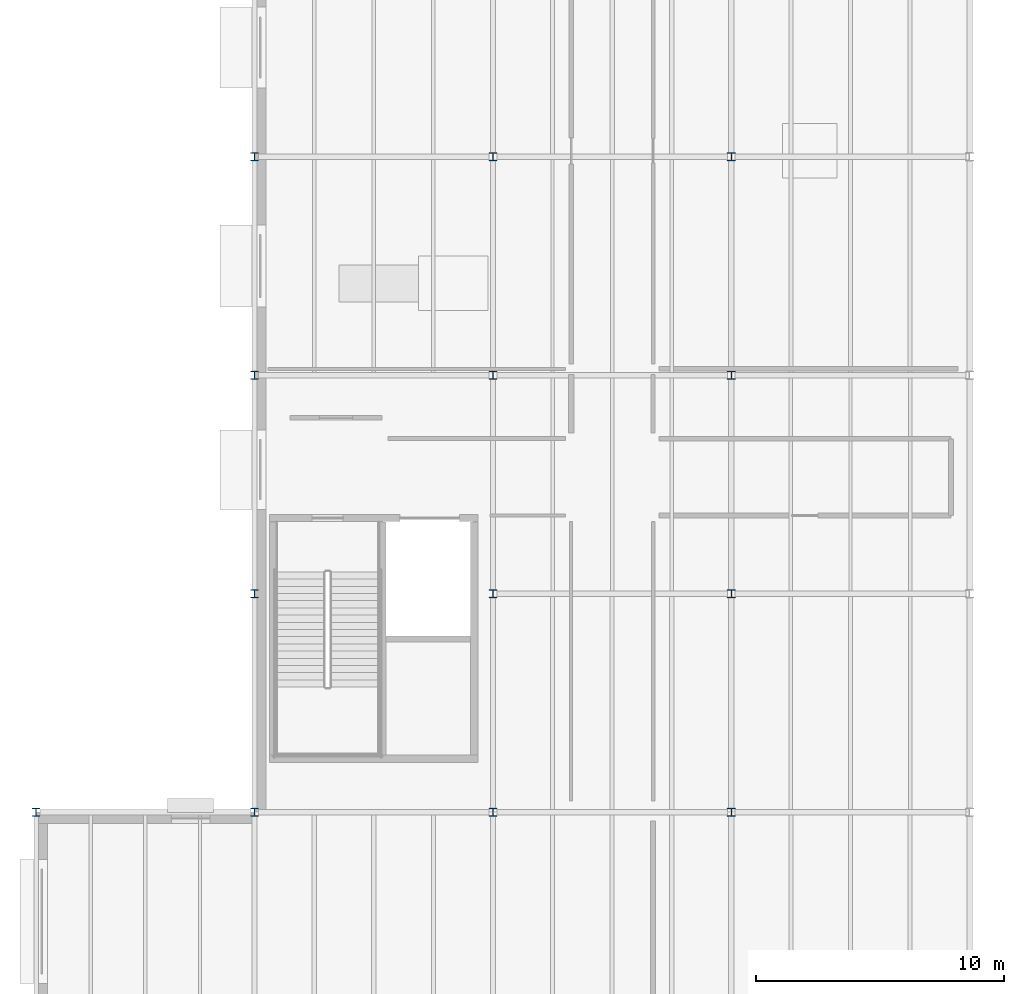
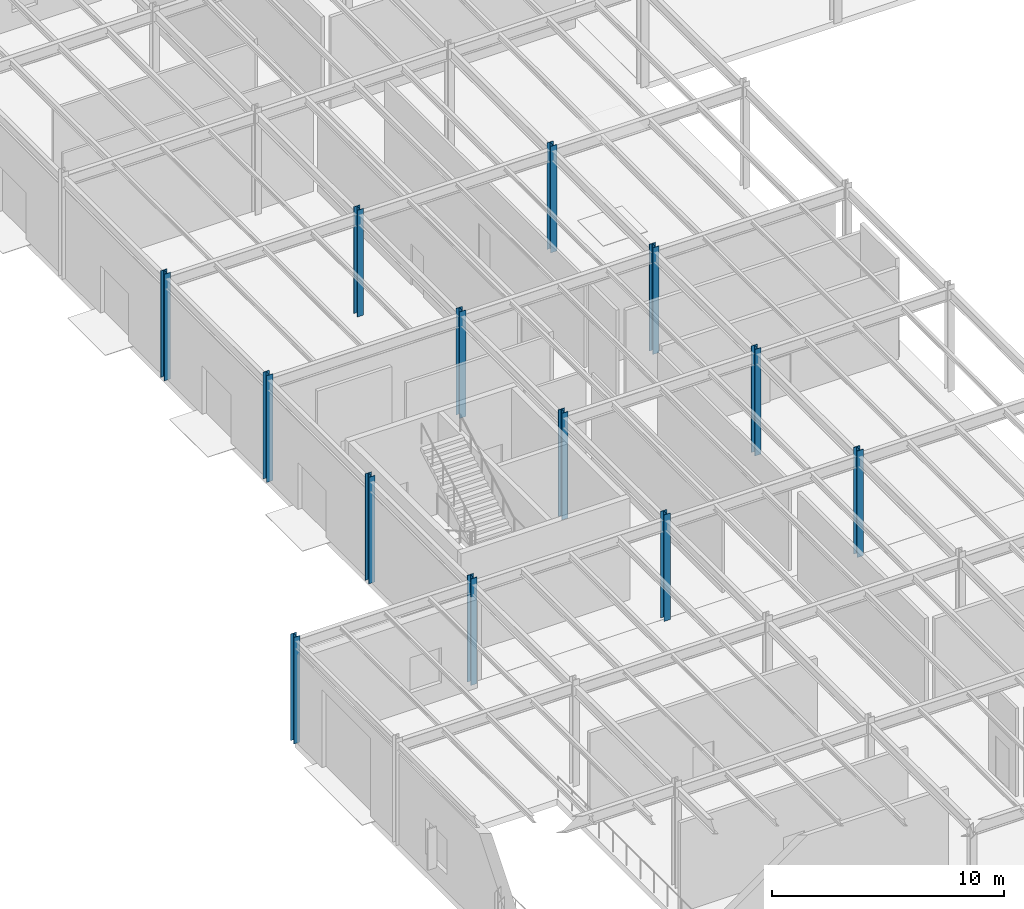
# One storey, part 3 of 70: 13 columns.
"""IFC4 building model written with IfcOpenShell, lengths in metres."""

from ifc_helpers import new_model, si_unit, direction, frame, origin, origin_2d, place, context, subcontext, project, spatial, i_section, extrude, material, material_profile, profile_set, type_object, element, save


model = new_model("IFC4")

# Units and contexts
model_context = context("Model", 3, precision=1e-05, world=origin(), true_north=direction((0.0, 1.0)))
body_context = subcontext(model_context, "Body", "Model", "MODEL_VIEW")
ifc_project = project(units=[si_unit("LENGTHUNIT", "METRE"), si_unit("AREAUNIT", "SQUARE_METRE"), si_unit("VOLUMEUNIT", "CUBIC_METRE"), si_unit("PLANEANGLEUNIT", "RADIAN"), si_unit("MASSUNIT", "GRAM", prefix="KILO")], contexts=[model_context])

# Site, building, storey
site_placement = place(None, origin())
site = spatial("IfcSite", under=ifc_project, at=site_placement, CompositionType="ELEMENT")
building_placement = place(site_placement, origin())
building = spatial("IfcBuilding", under=site, at=building_placement, Name="Sarnbrook Museum", CompositionType="ELEMENT")
storey_placement = place(building_placement, origin())
storey = spatial("IfcBuildingStorey", under=building, at=storey_placement, Name="L00", CompositionType="ELEMENT", Elevation=0.0)

# Columns
ifc_material = material(Name="Structural Steel Grade 300PLUS (AS/NZS 3679.1, fy = 280 MPa for 17 < t <= 40 mm, 300 MPa for t <= 17 mm)", Category="steel")
ifc_material_profile_1 = material_profile(ifc_material, i_section(OverallWidth=0.306884765625, OverallDepth=0.31494140625, WebThickness=0.011962890625, FlangeThickness=0.018798828125, FilletRadius=0.0166015625, at=origin_2d()), Name="310UC118")
ifc_profile_set_1 = profile_set([ifc_material_profile_1], Name="Structural Steel Grade 300PLUS (AS/NZS 3679.1, fy = 280 MPa for 17 < t <= 40 mm, 300 MPa for t <= 17 mm)")
column_type_1 = type_object("IfcColumnType", Name="COL-UC310", PredefinedType="COLUMN", material=ifc_profile_set_1)
column_placement = place(storey_placement, frame((4.800048828125, 39.199951171875, 0.0), z_axis=(0.0, 0.0, 1.0), x_axis=(1.0, 0.0, 0.0)))
element("IfcColumn", 1, at=column_placement, inside=storey, type_object=column_type_1, Name="Column 1-E L00", PredefinedType="COLUMN", context=body_context, shape_type="SweptSolid", body=[
    extrude(i_section(OverallWidth=0.306884765625, OverallDepth=0.31494140625, WebThickness=0.011962890625, FlangeThickness=0.018798828125, FilletRadius=0.0166015625, at=origin_2d()), origin(), (0.0, 0.0, 1.0), 5.60009765625),
])
ifc_material_profile_2 = material_profile(ifc_material, i_section(OverallWidth=0.31103515625, OverallDepth=0.326904296875, WebThickness=0.015625, FlangeThickness=0.02490234375, FilletRadius=0.0166015625, at=origin_2d()), Name="310UC158")
ifc_profile_set_2 = profile_set([ifc_material_profile_2], Name="Structural Steel Grade 300PLUS (AS/NZS 3679.1, fy = 280 MPa for 17 < t <= 40 mm, 300 MPa for t <= 17 mm)")
column_type_2 = type_object("IfcColumnType", Name="COL-UC310H", PredefinedType="COLUMN", material=ifc_profile_set_2)
for number, where, z_axis, x_axis, name in (
    (2, (13.60009765625, 39.199951171875, 0.0), (0.0, 0.0, 1.0), (1.0, 0.0, 0.0), "Column 2-E L00"),
    (3, (13.60009765625, 48.0, 0.0), (0.0, 0.0, 1.0), (1.0, 0.0, 0.0), "Column 2-F L00"),
    (4, (13.60009765625, 56.800048828125, 0.0), (0.0, 0.0, 1.0), (1.0, 0.0, 0.0), "Column 2-G L00"),
    (5, (13.60009765625, 65.60009765625, 0.0), (0.0, 0.0, 1.0), (1.0, 0.0, 0.0), "Column 2-H L00"),
    (6, (23.199951171875, 39.199951171875, 0.0), (0.0, 0.0, 1.0), (1.0, 0.0, 0.0), "Column 3-E L00"),
    (7, (23.199951171875, 48.0, 0.0), (0.0, 0.0, 1.0), (1.0, 0.0, 0.0), "Column 3-F L00"),
    (8, (23.199951171875, 56.800048828125, 0.0), (0.0, 0.0, 1.0), (1.0, 0.0, 0.0), "Column 3-G L00"),
    (9, (23.199951171875, 65.60009765625, 0.0), (0.0, 0.0, 1.0), (1.0, 0.0, 0.0), "Column 3-H L00"),
    (10, (32.800048828125, 39.199951171875, 0.0), (0.0, 0.0, 1.0), (1.0, 0.0, 0.0), "Column 4-E L00"),
    (11, (32.800048828125, 48.0, 0.0), (0.0, 0.0, 1.0), (1.0, 0.0, 0.0), "Column 4-F L00"),
    (12, (32.800048828125, 56.800048828125, 0.0), (0.0, 0.0, 1.0), (1.0, 0.0, 0.0), "Column 4-G L00"),
    (13, (32.800048828125, 65.60009765625, 0.0), (0.0, 0.0, 1.0), (1.0, 0.0, 0.0), "Column 4-H L00"),
):
    element("IfcColumn", number, at=place(storey_placement, frame(where, z_axis=z_axis, x_axis=x_axis)), inside=storey, type_object=column_type_2, Name=name, PredefinedType="COLUMN", context=body_context, shape_type="SweptSolid", body=[
        extrude(i_section(OverallWidth=0.31103515625, OverallDepth=0.326904296875, WebThickness=0.015625, FlangeThickness=0.02490234375, FilletRadius=0.0166015625, at=origin_2d()), origin(), (0.0, 0.0, 1.0), 5.60009765625),
    ])

save(model, "model.ifc")
